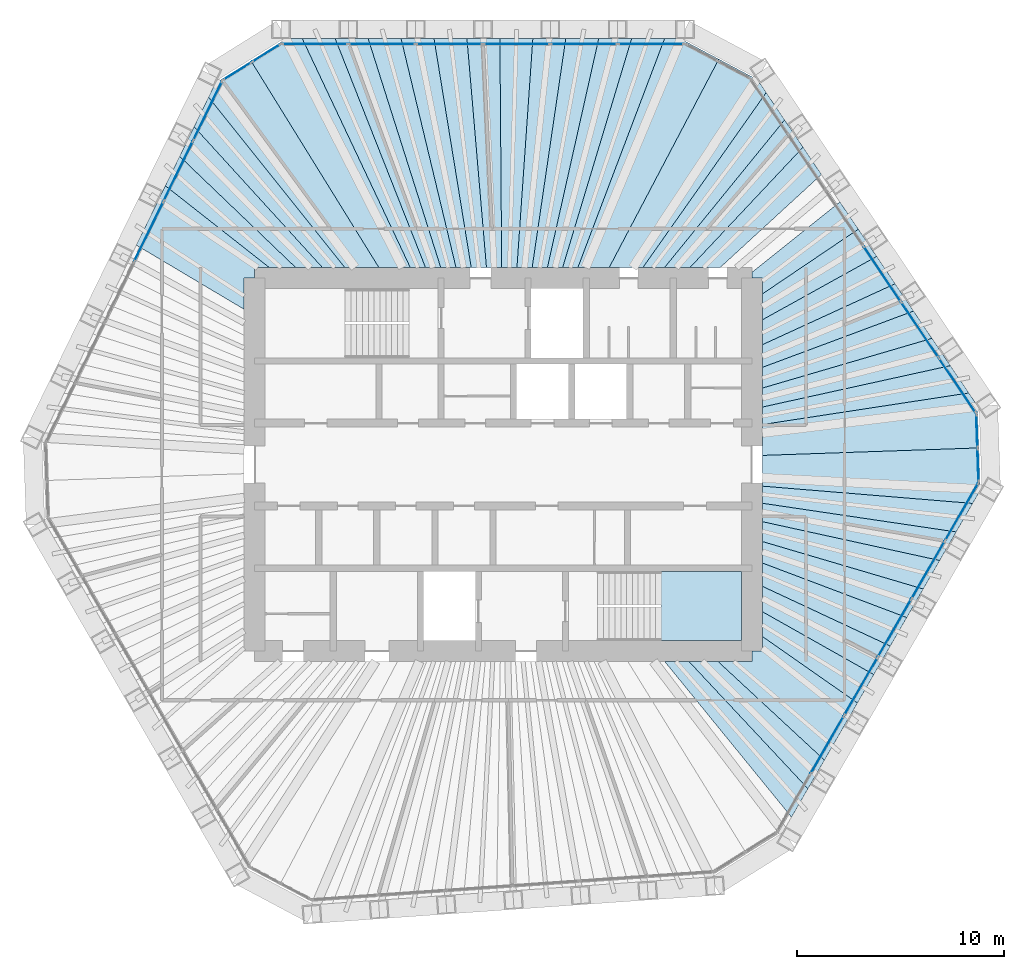
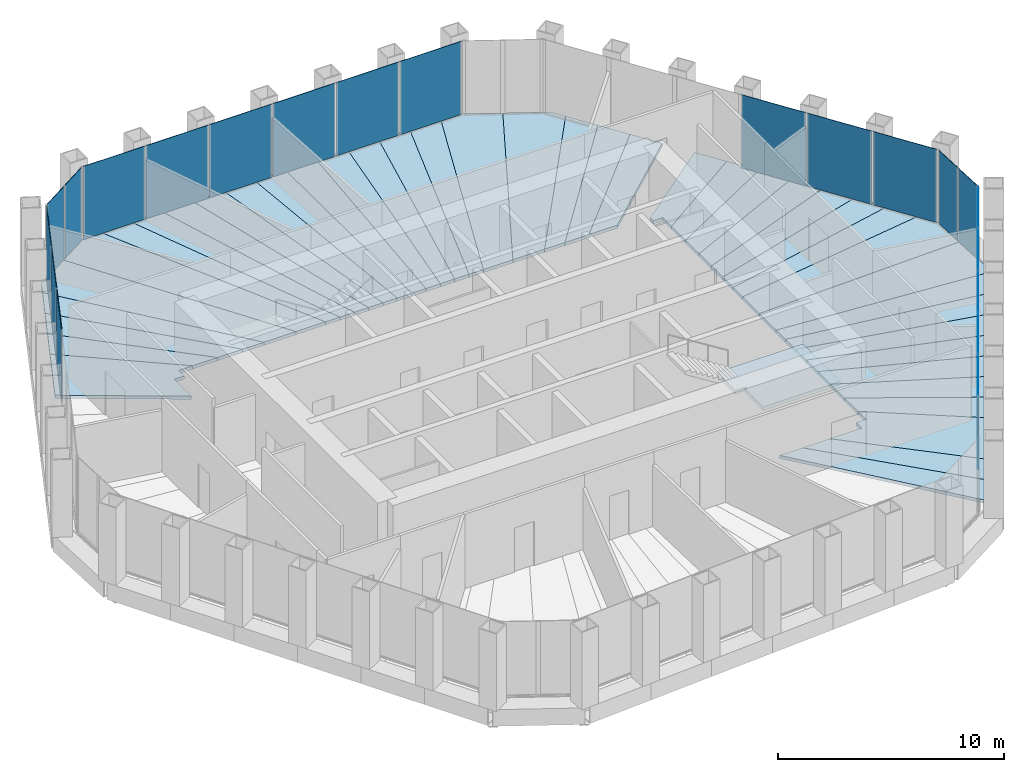
# One storey, part 10 of 14: 42 slabs, 21 plates, 7 elements without a shape of their own.
"""IFC4 building model written with IfcOpenShell, lengths in metres."""

from ifc_helpers import new_model, si_unit, direction, frame, origin, origin_2d, place, context, subcontext, project, spatial, polyline, rectangle, outline, extrude, material, layer, layer_set, type_object, element, aggregate, save


model = new_model("IFC4")

# Units and contexts
model_context = context("Model", 3, precision=1e-05, world=origin(), true_north=direction((0.0, 1.0)))
body_context = subcontext(model_context, "Body", "Model", "MODEL_VIEW")
ifc_project = project(units=[si_unit("LENGTHUNIT", "METRE"), si_unit("AREAUNIT", "SQUARE_METRE"), si_unit("VOLUMEUNIT", "CUBIC_METRE"), si_unit("PLANEANGLEUNIT", "RADIAN"), si_unit("MASSUNIT", "GRAM", prefix="KILO")], contexts=[model_context])

# Site, building, storey
site_placement = place(None, origin())
site = spatial("IfcSite", under=ifc_project, at=site_placement, CompositionType="ELEMENT")
building_placement = place(site_placement, origin())
building = spatial("IfcBuilding", under=site, at=building_placement, Name="Qingtian Harvest Tower", CompositionType="ELEMENT")
storey_placement = place(building_placement, frame((0.0, 0.0, 270.39990234375)))
storey = spatial("IfcBuildingStorey", under=building, at=storey_placement, Name="L59", CompositionType="ELEMENT", Elevation=270.39990234375)

# Slabs
ifc_material_1 = material(Name="Concrete fc' 35 MPa", Category="concrete")
ifc_layer_1 = layer(ifc_material_1, 0.169921875)
ifc_layer_set_1 = layer_set([ifc_layer_1], Name="Composite floor slab FS17 170")
slab_type_1 = type_object("IfcSlabType", Name="Composite floor slab FS17 170", PredefinedType="FLOOR", material=ifc_layer_set_1)
slab_1_placement = place(storey_placement, frame((0.0, 0.0, -0.169921875)))
element("IfcSlab", 1, at=slab_1_placement, inside=storey, type_object=slab_type_1, Name="Floor slab L59 panel D28", PredefinedType="FLOOR", context=body_context, shape_type="SweptSolid", body=[
    extrude(outline(polyline([(8.957275390625, -9.5), (14.703857421875, -15.64208984375), (13.908935546875, -17.01904296875), (7.78515625, -9.5), (8.957275390625, -9.5)])), origin(), (0.0, 0.0, 1.0), 0.169921875),
])
slab_2_placement = place(storey_placement, frame((0.0, 0.0, -0.169921875)))
element("IfcSlab", 2, at=slab_2_placement, inside=storey, type_object=slab_type_1, Name="Floor slab L59 panel D29", PredefinedType="FLOOR", context=body_context, shape_type="SweptSolid", body=[
    extrude(outline(polyline([(10.35693359375, -9.5), (15.498779296875, -14.26513671875), (14.703857421875, -15.64208984375), (8.957275390625, -9.5), (10.35693359375, -9.5)])), origin(), (0.0, 0.0, 1.0), 0.169921875),
])
slab_3_placement = place(storey_placement, frame((0.0, 0.0, -0.169921875)))
element("IfcSlab", 3, at=slab_3_placement, inside=storey, type_object=slab_type_1, Name="Floor slab L59 panel D31", PredefinedType="FLOOR", context=body_context, shape_type="SweptSolid", body=[
    extrude(outline(polyline([(12.5, -8.29443359375), (17.091552734375, -11.506591796875), (15.498779296875, -14.26513671875), (10.35693359375, -9.5), (12.0, -9.5), (12.0, -9.0), (12.5, -9.0), (12.5, -8.29443359375)])), origin(), (0.0, 0.0, 1.0), 0.169921875),
])
slab_4_placement = place(storey_placement, frame((0.0, 0.0, -0.169921875)))
element("IfcSlab", 4, at=slab_4_placement, inside=storey, type_object=slab_type_1, Name="Floor slab L59 panel D32", PredefinedType="FLOOR", context=body_context, shape_type="SweptSolid", body=[
    extrude(outline(polyline([(12.5, -7.099853515625), (17.882080078125, -10.137451171875), (17.091552734375, -11.506591796875), (12.5, -8.29443359375), (12.5, -7.099853515625)])), origin(), (0.0, 0.0, 1.0), 0.169921875),
])
slab_5_placement = place(storey_placement, frame((0.0, 0.0, -0.169921875)))
element("IfcSlab", 5, at=slab_5_placement, inside=storey, type_object=slab_type_1, Name="Floor slab L59 panel D33", PredefinedType="FLOOR", context=body_context, shape_type="SweptSolid", body=[
    extrude(outline(polyline([(12.5, -5.875244140625), (18.677001953125, -8.760498046875), (17.882080078125, -10.137451171875), (12.5, -7.099853515625), (12.5, -5.875244140625)])), origin(), (0.0, 0.0, 1.0), 0.169921875),
])
slab_6_placement = place(storey_placement, frame((0.0, 0.0, -0.169921875)))
element("IfcSlab", 6, at=slab_6_placement, inside=storey, type_object=slab_type_1, Name="Floor slab L59 panel D34", PredefinedType="FLOOR", context=body_context, shape_type="SweptSolid", body=[
    extrude(outline(polyline([(12.5, -4.750732421875), (19.4716796875, -7.3837890625), (18.677001953125, -8.760498046875), (12.5, -5.875244140625), (12.5, -4.750732421875)])), origin(), (0.0, 0.0, 1.0), 0.169921875),
])
slab_7_placement = place(storey_placement, frame((0.0, 0.0, -0.169921875)))
element("IfcSlab", 7, at=slab_7_placement, inside=storey, type_object=slab_type_1, Name="Floor slab L59 panel D35", PredefinedType="FLOOR", context=body_context, shape_type="SweptSolid", body=[
    extrude(outline(polyline([(12.5, -3.714599609375), (20.2666015625, -6.007080078125), (19.4716796875, -7.3837890625), (12.5, -4.750732421875), (12.5, -3.714599609375)])), origin(), (0.0, 0.0, 1.0), 0.169921875),
])
slab_8_placement = place(storey_placement, frame((0.0, 0.0, -0.169921875)))
element("IfcSlab", 8, at=slab_8_placement, inside=storey, type_object=slab_type_1, Name="Floor slab L59 panel D36", PredefinedType="FLOOR", context=body_context, shape_type="SweptSolid", body=[
    extrude(outline(polyline([(12.5, -2.756591796875), (21.0615234375, -4.630615234375), (20.2666015625, -6.007080078125), (12.5, -3.714599609375), (12.5, -2.756591796875)])), origin(), (0.0, 0.0, 1.0), 0.169921875),
])
slab_9_placement = place(storey_placement, frame((0.0, 0.0, -0.169921875)))
element("IfcSlab", 9, at=slab_9_placement, inside=storey, type_object=slab_type_1, Name="Floor slab L59 panel D37", PredefinedType="FLOOR", context=body_context, shape_type="SweptSolid", body=[
    extrude(outline(polyline([(12.5, -1.868408203125), (21.856201171875, -3.25390625), (21.0615234375, -4.630615234375), (12.5, -2.756591796875), (12.5, -1.868408203125)])), origin(), (0.0, 0.0, 1.0), 0.169921875),
])
slab_10_placement = place(storey_placement, frame((0.0, 0.0, -0.169921875)))
element("IfcSlab", 10, at=slab_10_placement, inside=storey, type_object=slab_type_1, Name="Floor slab L59 panel D38", PredefinedType="FLOOR", context=body_context, shape_type="SweptSolid", body=[
    extrude(outline(polyline([(12.5, -1.042724609375), (22.651123046875, -1.877197265625), (21.856201171875, -3.25390625), (12.5, -1.868408203125), (12.5, -1.042724609375)])), origin(), (0.0, 0.0, 1.0), 0.169921875),
])
slab_11_placement = place(storey_placement, frame((0.0, 0.0, -0.169921875)))
element("IfcSlab", 11, at=slab_11_placement, inside=storey, type_object=slab_type_1, Name="Floor slab L59 panel D39", PredefinedType="FLOOR", context=body_context, shape_type="SweptSolid", body=[
    extrude(outline(polyline([(12.5, -1.042724609375), (12.5, 0.439697265625), (22.9521484375, 0.8017578125), (23.023193359375, -1.232666015625), (22.651123046875, -1.877197265625), (12.5, -1.042724609375)])), origin(), (0.0, 0.0, 1.0), 0.169921875),
])
slab_12_placement = place(storey_placement, frame((0.0, 0.0, -0.169921875)))
element("IfcSlab", 12, at=slab_12_placement, inside=storey, type_object=slab_type_1, Name="Floor slab L59 panel D40", PredefinedType="FLOOR", context=body_context, shape_type="SweptSolid", body=[
    extrude(outline(polyline([(12.5, 0.439697265625), (12.5, 1.928955078125), (22.46484375, 3.45263671875), (22.881103515625, 2.835693359375), (22.9521484375, 0.8017578125), (12.5, 0.439697265625)])), origin(), (0.0, 0.0, 1.0), 0.169921875),
])
slab_13_placement = place(storey_placement, frame((0.0, 0.0, -0.169921875)))
element("IfcSlab", 13, at=slab_13_placement, inside=storey, type_object=slab_type_1, Name="Floor slab L59 panel D41", PredefinedType="FLOOR", context=body_context, shape_type="SweptSolid", body=[
    extrude(outline(polyline([(12.5, 2.772705078125), (21.575927734375, 4.7705078125), (22.46484375, 3.45263671875), (12.5, 1.928955078125), (12.5, 2.772705078125)])), origin(), (0.0, 0.0, 1.0), 0.169921875),
])
slab_14_placement = place(storey_placement, frame((0.0, 0.0, -0.169921875)))
element("IfcSlab", 14, at=slab_14_placement, inside=storey, type_object=slab_type_1, Name="Floor slab L59 panel D42", PredefinedType="FLOOR", context=body_context, shape_type="SweptSolid", body=[
    extrude(outline(polyline([(12.5, 3.688720703125), (20.68701171875, 6.08837890625), (21.575927734375, 4.7705078125), (12.5, 2.772705078125), (12.5, 3.688720703125)])), origin(), (0.0, 0.0, 1.0), 0.169921875),
])
slab_15_placement = place(storey_placement, frame((0.0, 0.0, -0.169921875)))
element("IfcSlab", 15, at=slab_15_placement, inside=storey, type_object=slab_type_1, Name="Floor slab L59 panel D43", PredefinedType="FLOOR", context=body_context, shape_type="SweptSolid", body=[
    extrude(outline(polyline([(12.5, 4.6875), (19.798095703125, 7.40625), (20.68701171875, 6.08837890625), (12.5, 3.688720703125), (12.5, 4.6875)])), origin(), (0.0, 0.0, 1.0), 0.169921875),
])
slab_16_placement = place(storey_placement, frame((0.0, 0.0, -0.169921875)))
element("IfcSlab", 16, at=slab_16_placement, inside=storey, type_object=slab_type_1, Name="Floor slab L59 panel D44", PredefinedType="FLOOR", context=body_context, shape_type="SweptSolid", body=[
    extrude(outline(polyline([(12.5, 5.780029296875), (18.9091796875, 8.724365234375), (19.798095703125, 7.40625), (12.5, 4.6875), (12.5, 5.780029296875)])), origin(), (0.0, 0.0, 1.0), 0.169921875),
])
slab_17_placement = place(storey_placement, frame((0.0, 0.0, -0.169921875)))
element("IfcSlab", 17, at=slab_17_placement, inside=storey, type_object=slab_type_1, Name="Floor slab L59 panel D45", PredefinedType="FLOOR", context=body_context, shape_type="SweptSolid", body=[
    extrude(outline(polyline([(12.5, 6.980712890625), (18.020263671875, 10.042236328125), (18.9091796875, 8.724365234375), (12.5, 5.780029296875), (12.5, 6.980712890625)])), origin(), (0.0, 0.0, 1.0), 0.169921875),
])
slab_18_placement = place(storey_placement, frame((0.0, 0.0, -0.169921875)))
element("IfcSlab", 18, at=slab_18_placement, inside=storey, type_object=slab_type_1, Name="Floor slab L59 panel D46", PredefinedType="FLOOR", context=body_context, shape_type="SweptSolid", body=[
    extrude(outline(polyline([(12.5, 8.22998046875), (17.1337890625, 11.3564453125), (18.020263671875, 10.042236328125), (12.5, 6.980712890625), (12.5, 8.22998046875)])), origin(), (0.0, 0.0, 1.0), 0.169921875),
])
slab_19_placement = place(storey_placement, frame((0.0, 0.0, -0.169921875)))
element("IfcSlab", 19, at=slab_19_placement, inside=storey, type_object=slab_type_1, Name="Floor slab L59 panel D47", PredefinedType="FLOOR", context=body_context, shape_type="SweptSolid", body=[
    extrude(outline(polyline([(12.5, 9.0), (12.0, 9.0), (12.0, 9.2734375), (16.24609375, 12.672607421875), (17.1337890625, 11.3564453125), (12.5, 8.22998046875), (12.5, 9.0)])), origin(), (0.0, 0.0, 1.0), 0.169921875),
])
slab_20_placement = place(storey_placement, frame((0.0, 0.0, -0.169921875)))
element("IfcSlab", 20, at=slab_20_placement, inside=storey, type_object=slab_type_1, Name="Floor slab L59 panel D49", PredefinedType="FLOOR", context=body_context, shape_type="SweptSolid", body=[
    extrude(outline(polyline([(9.002685546875, 9.5), (14.4658203125, 15.31201171875), (15.35498046875, 13.99365234375), (10.4599609375, 9.5), (9.002685546875, 9.5)])), origin(), (0.0, 0.0, 1.0), 0.169921875),
])
slab_21_placement = place(storey_placement, frame((0.0, 0.0, -0.169921875)))
element("IfcSlab", 21, at=slab_21_placement, inside=storey, type_object=slab_type_1, Name="Floor slab L59 panel D50", PredefinedType="FLOOR", context=body_context, shape_type="SweptSolid", body=[
    extrude(outline(polyline([(7.77734375, 9.5), (13.57666015625, 16.6298828125), (14.4658203125, 15.31201171875), (9.002685546875, 9.5), (7.77734375, 9.5)])), origin(), (0.0, 0.0, 1.0), 0.169921875),
])
slab_22_placement = place(storey_placement, frame((0.0, 0.0, -0.169921875)))
element("IfcSlab", 22, at=slab_22_placement, inside=storey, type_object=slab_type_1, Name="Floor slab L59 panel D51", PredefinedType="FLOOR", context=body_context, shape_type="SweptSolid", body=[
    extrude(outline(polyline([(6.73291015625, 9.5), (12.687744140625, 17.947998046875), (13.57666015625, 16.6298828125), (7.77734375, 9.5), (6.73291015625, 9.5)])), origin(), (0.0, 0.0, 1.0), 0.169921875),
])
slab_23_placement = place(storey_placement, frame((0.0, 0.0, -0.169921875)))
element("IfcSlab", 23, at=slab_23_placement, inside=storey, type_object=slab_type_1, Name="Floor slab L59 panel D52", PredefinedType="FLOOR", context=body_context, shape_type="SweptSolid", body=[
    extrude(outline(polyline([(6.73291015625, 9.5), (5.108154296875, 9.5), (10.402099609375, 19.55908203125), (12.271240234375, 18.5654296875), (12.687744140625, 17.947998046875), (6.73291015625, 9.5)])), origin(), (0.0, 0.0, 1.0), 0.169921875),
])
slab_24_placement = place(storey_placement, frame((0.0, 0.0, -0.169921875)))
element("IfcSlab", 24, at=slab_24_placement, inside=storey, type_object=slab_type_1, Name="Floor slab L59 panel D53", PredefinedType="FLOOR", context=body_context, shape_type="SweptSolid", body=[
    extrude(outline(polyline([(3.59814453125, 9.5), (7.785400390625, 20.554931640625), (8.529296875, 20.554931640625), (10.402099609375, 19.55908203125), (5.108154296875, 9.5), (3.59814453125, 9.5)])), origin(), (0.0, 0.0, 1.0), 0.169921875),
])
slab_25_placement = place(storey_placement, frame((0.0, 0.0, -0.169921875)))
element("IfcSlab", 25, at=slab_25_placement, inside=storey, type_object=slab_type_1, Name="Floor slab L59 panel D54", PredefinedType="FLOOR", context=body_context, shape_type="SweptSolid", body=[
    extrude(outline(polyline([(2.863525390625, 9.5), (6.19580078125, 20.554931640625), (7.785400390625, 20.554931640625), (3.59814453125, 9.5), (2.863525390625, 9.5)])), origin(), (0.0, 0.0, 1.0), 0.169921875),
])
slab_26_placement = place(storey_placement, frame((0.0, 0.0, -0.169921875)))
element("IfcSlab", 26, at=slab_26_placement, inside=storey, type_object=slab_type_1, Name="Floor slab L59 panel D55", PredefinedType="FLOOR", context=body_context, shape_type="SweptSolid", body=[
    extrude(outline(polyline([(2.12890625, 9.5), (4.606201171875, 20.554931640625), (6.19580078125, 20.554931640625), (2.863525390625, 9.5), (2.12890625, 9.5)])), origin(), (0.0, 0.0, 1.0), 0.169921875),
])
slab_27_placement = place(storey_placement, frame((0.0, 0.0, -0.169921875)))
element("IfcSlab", 27, at=slab_27_placement, inside=storey, type_object=slab_type_1, Name="Floor slab L59 panel D56", PredefinedType="FLOOR", context=body_context, shape_type="SweptSolid", body=[
    extrude(outline(polyline([(1.394287109375, 9.5), (3.0166015625, 20.554931640625), (4.606201171875, 20.554931640625), (2.12890625, 9.5), (1.394287109375, 9.5)])), origin(), (0.0, 0.0, 1.0), 0.169921875),
])
slab_28_placement = place(storey_placement, frame((0.0, 0.0, -0.169921875)))
element("IfcSlab", 28, at=slab_28_placement, inside=storey, type_object=slab_type_1, Name="Floor slab L59 panel D57", PredefinedType="FLOOR", context=body_context, shape_type="SweptSolid", body=[
    extrude(outline(polyline([(0.659423828125, 9.5), (1.427001953125, 20.554931640625), (3.0166015625, 20.554931640625), (1.394287109375, 9.5), (0.659423828125, 9.5)])), origin(), (0.0, 0.0, 1.0), 0.169921875),
])
slab_29_placement = place(storey_placement, frame((0.0, 0.0, -0.169921875)))
element("IfcSlab", 29, at=slab_29_placement, inside=storey, type_object=slab_type_1, Name="Floor slab L59 panel D58", PredefinedType="FLOOR", context=body_context, shape_type="SweptSolid", body=[
    extrude(outline(polyline([(-0.0751953125, 9.5), (-0.16259765625, 20.554931640625), (1.427001953125, 20.554931640625), (0.659423828125, 9.5), (-0.0751953125, 9.5)])), origin(), (0.0, 0.0, 1.0), 0.169921875),
])
slab_30_placement = place(storey_placement, frame((0.0, 0.0, -0.169921875)))
element("IfcSlab", 30, at=slab_30_placement, inside=storey, type_object=slab_type_1, Name="Floor slab L59 panel D59", PredefinedType="FLOOR", context=body_context, shape_type="SweptSolid", body=[
    extrude(outline(polyline([(-0.809814453125, 9.5), (-1.752197265625, 20.554931640625), (-0.16259765625, 20.554931640625), (-0.0751953125, 9.5), (-0.809814453125, 9.5)])), origin(), (0.0, 0.0, 1.0), 0.169921875),
])
slab_31_placement = place(storey_placement, frame((0.0, 0.0, -0.169921875)))
element("IfcSlab", 31, at=slab_31_placement, inside=storey, type_object=slab_type_1, Name="Floor slab L59 panel D60", PredefinedType="FLOOR", context=body_context, shape_type="SweptSolid", body=[
    extrude(outline(polyline([(-1.54443359375, 9.5), (-3.341796875, 20.554931640625), (-1.752197265625, 20.554931640625), (-0.809814453125, 9.5), (-1.54443359375, 9.5)])), origin(), (0.0, 0.0, 1.0), 0.169921875),
])
slab_32_placement = place(storey_placement, frame((0.0, 0.0, -0.169921875)))
element("IfcSlab", 32, at=slab_32_placement, inside=storey, type_object=slab_type_1, Name="Floor slab L59 panel D61", PredefinedType="FLOOR", context=body_context, shape_type="SweptSolid", body=[
    extrude(outline(polyline([(-2.279296875, 9.5), (-4.931396484375, 20.554931640625), (-3.341796875, 20.554931640625), (-1.54443359375, 9.5), (-2.279296875, 9.5)])), origin(), (0.0, 0.0, 1.0), 0.169921875),
])
slab_33_placement = place(storey_placement, frame((0.0, 0.0, -0.169921875)))
element("IfcSlab", 33, at=slab_33_placement, inside=storey, type_object=slab_type_1, Name="Floor slab L59 panel D62", PredefinedType="FLOOR", context=body_context, shape_type="SweptSolid", body=[
    extrude(outline(polyline([(-3.013916015625, 9.5), (-6.52099609375, 20.554931640625), (-4.931396484375, 20.554931640625), (-2.279296875, 9.5), (-3.013916015625, 9.5)])), origin(), (0.0, 0.0, 1.0), 0.169921875),
])
slab_34_placement = place(storey_placement, frame((0.0, 0.0, -0.169921875)))
element("IfcSlab", 34, at=slab_34_placement, inside=storey, type_object=slab_type_1, Name="Floor slab L59 panel D63", PredefinedType="FLOOR", context=body_context, shape_type="SweptSolid", body=[
    extrude(outline(polyline([(-3.74853515625, 9.5), (-8.110595703125, 20.554931640625), (-6.52099609375, 20.554931640625), (-3.013916015625, 9.5), (-3.74853515625, 9.5)])), origin(), (0.0, 0.0, 1.0), 0.169921875),
])
slab_35_placement = place(storey_placement, frame((0.0, 0.0, -0.169921875)))
element("IfcSlab", 35, at=slab_35_placement, inside=storey, type_object=slab_type_1, Name="Floor slab L59 panel D64", PredefinedType="FLOOR", context=body_context, shape_type="SweptSolid", body=[
    extrude(outline(polyline([(-4.483154296875, 9.5), (-9.7001953125, 20.554931640625), (-8.110595703125, 20.554931640625), (-3.74853515625, 9.5), (-4.483154296875, 9.5)])), origin(), (0.0, 0.0, 1.0), 0.169921875),
])
slab_36_placement = place(storey_placement, frame((0.0, 0.0, -0.169921875)))
element("IfcSlab", 36, at=slab_36_placement, inside=storey, type_object=slab_type_1, Name="Floor slab L59 panel D65", PredefinedType="FLOOR", context=body_context, shape_type="SweptSolid", body=[
    extrude(outline(polyline([(-4.483154296875, 9.5), (-5.998291015625, 9.5), (-12.172119140625, 19.475341796875), (-10.444091796875, 20.554931640625), (-9.7001953125, 20.554931640625), (-4.483154296875, 9.5)])), origin(), (0.0, 0.0, 1.0), 0.169921875),
])
slab_37_placement = place(storey_placement, frame((0.0, 0.0, -0.169921875)))
element("IfcSlab", 37, at=slab_37_placement, inside=storey, type_object=slab_type_1, Name="Floor slab L59 panel D66", PredefinedType="FLOOR", context=body_context, shape_type="SweptSolid", body=[
    extrude(outline(polyline([(-5.998291015625, 9.5), (-7.640869140625, 9.5), (-14.22265625, 17.728515625), (-13.896240234375, 18.39794921875), (-12.172119140625, 19.475341796875), (-5.998291015625, 9.5)])), origin(), (0.0, 0.0, 1.0), 0.169921875),
])
slab_38_placement = place(storey_placement, frame((0.0, 0.0, -0.169921875)))
element("IfcSlab", 38, at=slab_38_placement, inside=storey, type_object=slab_type_1, Name="Floor slab L59 panel D67", PredefinedType="FLOOR", context=body_context, shape_type="SweptSolid", body=[
    extrude(outline(polyline([(-8.720703125, 9.5), (-14.919677734375, 16.299560546875), (-14.22265625, 17.728515625), (-7.640869140625, 9.5), (-8.720703125, 9.5)])), origin(), (0.0, 0.0, 1.0), 0.169921875),
])
slab_39_placement = place(storey_placement, frame((0.0, 0.0, -0.169921875)))
element("IfcSlab", 39, at=slab_39_placement, inside=storey, type_object=slab_type_1, Name="Floor slab L59 panel D68", PredefinedType="FLOOR", context=body_context, shape_type="SweptSolid", body=[
    extrude(outline(polyline([(-10.00927734375, 9.5), (-15.61669921875, 14.87060546875), (-14.919677734375, 16.299560546875), (-8.720703125, 9.5), (-10.00927734375, 9.5)])), origin(), (0.0, 0.0, 1.0), 0.169921875),
])
slab_40_placement = place(storey_placement, frame((0.0, 0.0, -0.169921875)))
element("IfcSlab", 40, at=slab_40_placement, inside=storey, type_object=slab_type_1, Name="Floor slab L59 panel D69", PredefinedType="FLOOR", context=body_context, shape_type="SweptSolid", body=[
    extrude(outline(polyline([(-11.28125, 9.5), (-16.30810546875, 13.45263671875), (-15.61669921875, 14.87060546875), (-10.00927734375, 9.5), (-11.28125, 9.5)])), origin(), (0.0, 0.0, 1.0), 0.169921875),
])
slab_41_placement = place(storey_placement, frame((0.0, 0.0, -0.169921875)))
element("IfcSlab", 41, at=slab_41_placement, inside=storey, type_object=slab_type_1, Name="Floor slab L59 panel D70", PredefinedType="FLOOR", context=body_context, shape_type="SweptSolid", body=[
    extrude(outline(polyline([(-12.0, 9.0), (-12.5, 9.0), (-12.5, 7.48583984375), (-17.706298828125, 10.58642578125), (-16.30810546875, 13.45263671875), (-11.28125, 9.5), (-12.0, 9.5), (-12.0, 9.0)])), origin(), (0.0, 0.0, 1.0), 0.169921875),
])

# Curtain wall, plates
ifc_material_2 = material(Name="Bronze-anodised aluminium curtain wall", Category="aluminium")
curtain_wall_type = type_object("IfcCurtainWallType", Name="Curtain wall CW5 upper office", PredefinedType="USERDEFINED", material=ifc_material_2)
curtain_wall_1_placement = place(storey_placement, origin())
curtain_wall_1 = element("IfcCurtainWall", 42, at=curtain_wall_1_placement, inside=storey, type_object=curtain_wall_type, Name="Curtain wall CW5 L59 N0-5", ObjectType="RECESSED CURTAIN WALL", PredefinedType="USERDEFINED")
ifc_material_3 = material(Name="Bronze-tinted laminated insulating glass", Category="glass")
ifc_layer_2 = layer(ifc_material_3, 0.030029296875)
ifc_layer_set_2 = layer_set([ifc_layer_2], Name="Glazed panel CWP tinted IGU")
plate_type = type_object("IfcPlateType", Name="Glazed panel CWP tinted IGU", PredefinedType="CURTAIN_PANEL", material=ifc_layer_set_2)
plate_1_placement = place(storey_placement, frame((-9.08203125, 20.300048828125, 0.06494140625), z_axis=(0.0, 0.0, 1.0), x_axis=(1.0, 0.0, 0.0)))
plate_1 = element("IfcPlate", 43, at=plate_1_placement, type_object=plate_type, Name="CW5 panel 1.1", PredefinedType="CURTAIN_PANEL", context=body_context, shape_type="SweptSolid", body=[
    extrude(rectangle(XDim=3.150634765625, YDim=0.030029296875, at=origin_2d()), origin(), (0.0, 0.0, 1.0), 3.965087890625),
])
plate_2_placement = place(storey_placement, frame((-5.85009765625, 20.300048828125, 0.06494140625), z_axis=(0.0, 0.0, 1.0), x_axis=(1.0, 0.0, 0.0)))
plate_2 = element("IfcPlate", 44, at=plate_2_placement, type_object=plate_type, Name="CW5 panel 2.1", PredefinedType="CURTAIN_PANEL", context=body_context, shape_type="SweptSolid", body=[
    extrude(rectangle(XDim=3.18310546875, YDim=0.030029296875, at=origin_2d()), origin(), (0.0, 0.0, 1.0), 3.965087890625),
])
plate_3_placement = place(storey_placement, frame((-2.602294921875, 20.300048828125, 0.06494140625), z_axis=(0.0, 0.0, 1.0), x_axis=(1.0, 0.0, 0.0)))
plate_3 = element("IfcPlate", 45, at=plate_3_placement, type_object=plate_type, Name="CW5 panel 3.1", PredefinedType="CURTAIN_PANEL", context=body_context, shape_type="SweptSolid", body=[
    extrude(rectangle(XDim=3.18310546875, YDim=0.030029296875, at=origin_2d()), origin(), (0.0, 0.0, 1.0), 3.965087890625),
])
plate_4_placement = place(storey_placement, frame((0.645751953125, 20.300048828125, 0.06494140625), z_axis=(0.0, 0.0, 1.0), x_axis=(1.0, 0.0, 0.0)))
plate_4 = element("IfcPlate", 46, at=plate_4_placement, type_object=plate_type, Name="CW5 panel 4.1", PredefinedType="CURTAIN_PANEL", context=body_context, shape_type="SweptSolid", body=[
    extrude(rectangle(XDim=3.18310546875, YDim=0.030029296875, at=origin_2d()), origin(), (0.0, 0.0, 1.0), 3.965087890625),
])
plate_5_placement = place(storey_placement, frame((3.893798828125, 20.300048828125, 0.06494140625), z_axis=(0.0, 0.0, 1.0), x_axis=(1.0, 0.0, 0.0)))
plate_5 = element("IfcPlate", 47, at=plate_5_placement, type_object=plate_type, Name="CW5 panel 5.1", PredefinedType="CURTAIN_PANEL", context=body_context, shape_type="SweptSolid", body=[
    extrude(rectangle(XDim=3.18310546875, YDim=0.030029296875, at=origin_2d()), origin(), (0.0, 0.0, 1.0), 3.965087890625),
])
plate_6_placement = place(storey_placement, frame((7.125732421875, 20.300048828125, 0.06494140625), z_axis=(0.0, 0.0, 1.0), x_axis=(1.0, 0.0, 0.0)))
plate_6 = element("IfcPlate", 48, at=plate_6_placement, type_object=plate_type, Name="CW5 panel 6.1", PredefinedType="CURTAIN_PANEL", context=body_context, shape_type="SweptSolid", body=[
    extrude(rectangle(XDim=3.150634765625, YDim=0.030029296875, at=origin_2d()), origin(), (0.0, 0.0, 1.0), 3.965087890625),
])
aggregate(curtain_wall_1, [plate_1, plate_2, plate_3, plate_4, plate_5, plate_6])

curtain_wall_2_placement = place(storey_placement, origin())
curtain_wall_2 = element("IfcCurtainWall", 49, at=curtain_wall_2_placement, inside=storey, type_object=curtain_wall_type, Name="Curtain wall CW5 L59 NE0-5", ObjectType="RECESSED CURTAIN WALL", PredefinedType="USERDEFINED")
plate_7_placement = place(storey_placement, frame((18.28466796875, 9.1943359375, 0.06494140625), z_axis=(0.0, 0.0, 1.0), x_axis=(0.559192903471, -0.829037572555, 0.0)))
plate_7 = element("IfcPlate", 50, at=plate_7_placement, type_object=plate_type, Name="CW5 panel 4.1", PredefinedType="CURTAIN_PANEL", context=body_context, shape_type="SweptSolid", body=[
    extrude(rectangle(XDim=3.18310546875, YDim=0.030029296875, at=origin_2d()), origin(), (0.0, 0.0, 1.0), 3.965087890625),
])
plate_8_placement = place(storey_placement, frame((20.100830078125, 6.50146484375, 0.06494140625), z_axis=(0.0, 0.0, 1.0), x_axis=(0.559192903471, -0.829037572555, 0.0)))
plate_8 = element("IfcPlate", 51, at=plate_8_placement, type_object=plate_type, Name="CW5 panel 5.1", PredefinedType="CURTAIN_PANEL", context=body_context, shape_type="SweptSolid", body=[
    extrude(rectangle(XDim=3.18310546875, YDim=0.030029296875, at=origin_2d()), origin(), (0.0, 0.0, 1.0), 3.965087890625),
])
plate_9_placement = place(storey_placement, frame((21.907958984375, 3.822265625, 0.06494140625), z_axis=(0.0, 0.0, 1.0), x_axis=(0.559192903471, -0.829037572555, 0.0)))
plate_9 = element("IfcPlate", 52, at=plate_9_placement, type_object=plate_type, Name="CW5 panel 6.1", PredefinedType="CURTAIN_PANEL", context=body_context, shape_type="SweptSolid", body=[
    extrude(rectangle(XDim=3.150634765625, YDim=0.030029296875, at=origin_2d()), origin(), (0.0, 0.0, 1.0), 3.965087890625),
])
aggregate(curtain_wall_2, [plate_7, plate_8, plate_9])

curtain_wall_3_placement = place(storey_placement, origin())
curtain_wall_3 = element("IfcCurtainWall", 53, at=curtain_wall_3_placement, inside=storey, type_object=curtain_wall_type, Name="Curtain wall CW5 L59 NEC", ObjectType="RECESSED CURTAIN WALL", PredefinedType="USERDEFINED")
plate_10_placement = place(storey_placement, frame((22.85498046875, 1.614501953125, 0.06494140625), z_axis=(0.0, 0.0, 1.0), x_axis=(0.034899496703, -0.999390827019, 0.0)))
plate_10 = element("IfcPlate", 54, at=plate_10_placement, type_object=plate_type, Name="CW5 panel 1.1", PredefinedType="CURTAIN_PANEL", context=body_context, shape_type="SweptSolid", body=[
    extrude(rectangle(XDim=1.56689453125, YDim=0.030029296875, at=origin_2d()), origin(), (0.0, 0.0, 1.0), 3.965087890625),
])
plate_11_placement = place(storey_placement, frame((22.911865234375, -0.016357421875, 0.06494140625), z_axis=(0.0, 0.0, 1.0), x_axis=(0.034899496703, -0.999390827019, 0.0)))
plate_11 = element("IfcPlate", 55, at=plate_11_placement, type_object=plate_type, Name="CW5 panel 2.1", PredefinedType="CURTAIN_PANEL", context=body_context, shape_type="SweptSolid", body=[
    extrude(rectangle(XDim=1.56689453125, YDim=0.030029296875, at=origin_2d()), origin(), (0.0, 0.0, 1.0), 3.965087890625),
])
aggregate(curtain_wall_3, [plate_10, plate_11])

curtain_wall_4_placement = place(storey_placement, origin())
curtain_wall_4 = element("IfcCurtainWall", 56, at=curtain_wall_4_placement, inside=storey, type_object=curtain_wall_type, Name="Curtain wall CW5 L59 SE0-5", ObjectType="RECESSED CURTAIN WALL", PredefinedType="USERDEFINED")
plate_12_placement = place(storey_placement, frame((22.121337890625, -2.28466796875, 0.06494140625), z_axis=(0.0, 0.0, 1.0), x_axis=(-0.5, -0.866025403784, 0.0)))
plate_12 = element("IfcPlate", 57, at=plate_12_placement, type_object=plate_type, Name="CW5 panel 1.1", PredefinedType="CURTAIN_PANEL", context=body_context, shape_type="SweptSolid", body=[
    extrude(rectangle(XDim=3.150634765625, YDim=0.030029296875, at=origin_2d()), origin(), (0.0, 0.0, 1.0), 3.965087890625),
])
plate_13_placement = place(storey_placement, frame((20.50537109375, -5.08349609375, 0.06494140625), z_axis=(0.0, 0.0, 1.0), x_axis=(-0.5, -0.866025403784, 0.0)))
plate_13 = element("IfcPlate", 58, at=plate_13_placement, type_object=plate_type, Name="CW5 panel 2.1", PredefinedType="CURTAIN_PANEL", context=body_context, shape_type="SweptSolid", body=[
    extrude(rectangle(XDim=3.18310546875, YDim=0.030029296875, at=origin_2d()), origin(), (0.0, 0.0, 1.0), 3.965087890625),
])
plate_14_placement = place(storey_placement, frame((18.88134765625, -7.896484375, 0.06494140625), z_axis=(0.0, 0.0, 1.0), x_axis=(-0.5, -0.866025403784, 0.0)))
plate_14 = element("IfcPlate", 59, at=plate_14_placement, type_object=plate_type, Name="CW5 panel 3.1", PredefinedType="CURTAIN_PANEL", context=body_context, shape_type="SweptSolid", body=[
    extrude(rectangle(XDim=3.18310546875, YDim=0.030029296875, at=origin_2d()), origin(), (0.0, 0.0, 1.0), 3.965087890625),
])
plate_15_placement = place(storey_placement, frame((17.25732421875, -10.709228515625, 0.06494140625), z_axis=(0.0, 0.0, 1.0), x_axis=(-0.5, -0.866025403784, 0.0)))
plate_15 = element("IfcPlate", 60, at=plate_15_placement, type_object=plate_type, Name="CW5 panel 4.1", PredefinedType="CURTAIN_PANEL", context=body_context, shape_type="SweptSolid", body=[
    extrude(rectangle(XDim=3.18310546875, YDim=0.030029296875, at=origin_2d()), origin(), (0.0, 0.0, 1.0), 3.965087890625),
])
plate_16_placement = place(storey_placement, frame((15.63330078125, -13.522216796875, 0.06494140625), z_axis=(0.0, 0.0, 1.0), x_axis=(-0.5, -0.866025403784, 0.0)))
plate_16 = element("IfcPlate", 61, at=plate_16_placement, type_object=plate_type, Name="CW5 panel 5.1", PredefinedType="CURTAIN_PANEL", context=body_context, shape_type="SweptSolid", body=[
    extrude(rectangle(XDim=3.18310546875, YDim=0.030029296875, at=origin_2d()), origin(), (0.0, 0.0, 1.0), 3.965087890625),
])
aggregate(curtain_wall_4, [plate_12, plate_13, plate_14, plate_15, plate_16])

curtain_wall_5_placement = place(storey_placement, origin())
curtain_wall_5 = element("IfcCurtainWall", 62, at=curtain_wall_5_placement, inside=storey, type_object=curtain_wall_type, Name="Curtain wall CW5 L59 NW0-5", ObjectType="RECESSED CURTAIN WALL", PredefinedType="USERDEFINED")
plate_17_placement = place(storey_placement, frame((-17.104736328125, 11.23779296875, 0.06494140625), z_axis=(0.0, 0.0, 1.0), x_axis=(0.438371146789, 0.898794046299, 0.0)))
plate_17 = element("IfcPlate", 63, at=plate_17_placement, type_object=plate_type, Name="CW5 panel 4.1", PredefinedType="CURTAIN_PANEL", context=body_context, shape_type="SweptSolid", body=[
    extrude(rectangle(XDim=3.18310546875, YDim=0.030029296875, at=origin_2d()), origin(), (0.0, 0.0, 1.0), 3.965087890625),
])
plate_18_placement = place(storey_placement, frame((-15.680908203125, 14.156982421875, 0.06494140625), z_axis=(0.0, 0.0, 1.0), x_axis=(0.438371146789, 0.898794046299, 0.0)))
plate_18 = element("IfcPlate", 64, at=plate_18_placement, type_object=plate_type, Name="CW5 panel 5.1", PredefinedType="CURTAIN_PANEL", context=body_context, shape_type="SweptSolid", body=[
    extrude(rectangle(XDim=3.18310546875, YDim=0.030029296875, at=origin_2d()), origin(), (0.0, 0.0, 1.0), 3.965087890625),
])
plate_19_placement = place(storey_placement, frame((-14.26416015625, 17.061767578125, 0.06494140625), z_axis=(0.0, 0.0, 1.0), x_axis=(0.438371146789, 0.898794046299, 0.0)))
plate_19 = element("IfcPlate", 65, at=plate_19_placement, type_object=plate_type, Name="CW5 panel 6.1", PredefinedType="CURTAIN_PANEL", context=body_context, shape_type="SweptSolid", body=[
    extrude(rectangle(XDim=3.150634765625, YDim=0.030029296875, at=origin_2d()), origin(), (0.0, 0.0, 1.0), 3.965087890625),
])
aggregate(curtain_wall_5, [plate_17, plate_18, plate_19])

curtain_wall_6_placement = place(storey_placement, origin())
curtain_wall_6 = element("IfcCurtainWall", 66, at=curtain_wall_6_placement, inside=storey, type_object=curtain_wall_type, Name="Curtain wall CW5 L59 NWC", ObjectType="RECESSED CURTAIN WALL", PredefinedType="USERDEFINED")
plate_20_placement = place(storey_placement, frame((-12.82568359375, 18.985595703125, 0.06494140625), z_axis=(0.0, 0.0, 1.0), x_axis=(0.848048096156, 0.529919264233, 0.0)))
plate_20 = element("IfcPlate", 67, at=plate_20_placement, type_object=plate_type, Name="CW5 panel 1.1", PredefinedType="CURTAIN_PANEL", context=body_context, shape_type="SweptSolid", body=[
    extrude(rectangle(XDim=1.56689453125, YDim=0.030029296875, at=origin_2d()), origin(), (0.0, 0.0, 1.0), 3.965087890625),
])
plate_21_placement = place(storey_placement, frame((-11.441650390625, 19.850341796875, 0.06494140625), z_axis=(0.0, 0.0, 1.0), x_axis=(0.848048096156, 0.529919264233, 0.0)))
plate_21 = element("IfcPlate", 68, at=plate_21_placement, type_object=plate_type, Name="CW5 panel 2.1", PredefinedType="CURTAIN_PANEL", context=body_context, shape_type="SweptSolid", body=[
    extrude(rectangle(XDim=1.56689453125, YDim=0.030029296875, at=origin_2d()), origin(), (0.0, 0.0, 1.0), 3.965087890625),
])
aggregate(curtain_wall_6, [plate_20, plate_21])

# Stair, slab
ifc_material_4 = material(Name="Concrete fc' 35 MPa", Category="concrete")
stair_type = type_object("IfcStairType", Name="Special stair ST6 4200", PredefinedType="HALF_TURN_STAIR", material=ifc_material_4)
stair_placement = place(storey_placement, origin())
stair = element("IfcStair", 69, at=stair_placement, inside=storey, type_object=stair_type, Name="Special stair S2 L59", PredefinedType="HALF_TURN_STAIR")
ifc_material_5 = material(Name="Concrete fc' 35 MPa", Category="concrete")
ifc_layer_3 = layer(ifc_material_5, 0.199951171875)
ifc_layer_set_3 = layer_set([ifc_layer_3], Name="Stair landing SL2 200")
slab_type_2 = type_object("IfcSlabType", Name="Stair landing SL2 200", PredefinedType="LANDING", material=ifc_layer_set_3)
slab_42_placement = place(storey_placement, frame((0.0, 0.0, 1.900146484375)))
slab_42 = element("IfcSlab", 70, at=slab_42_placement, type_object=slab_type_2, Name="S2 landing 2", PredefinedType="LANDING", context=body_context, shape_type="SweptSolid", body=[
    extrude(outline(polyline([(7.530029296875, -8.5), (7.530029296875, -6.875), (7.6298828125, -6.875), (7.6298828125, -6.77490234375), (7.094970703125, -6.77490234375), (7.094970703125, -5.14990234375), (11.5, -5.14990234375), (11.5, -8.5), (7.530029296875, -8.5)])), origin(), (0.0, 0.0, 1.0), 0.199951171875),
])
aggregate(stair, [slab_42])

save(model, "model.ifc")
